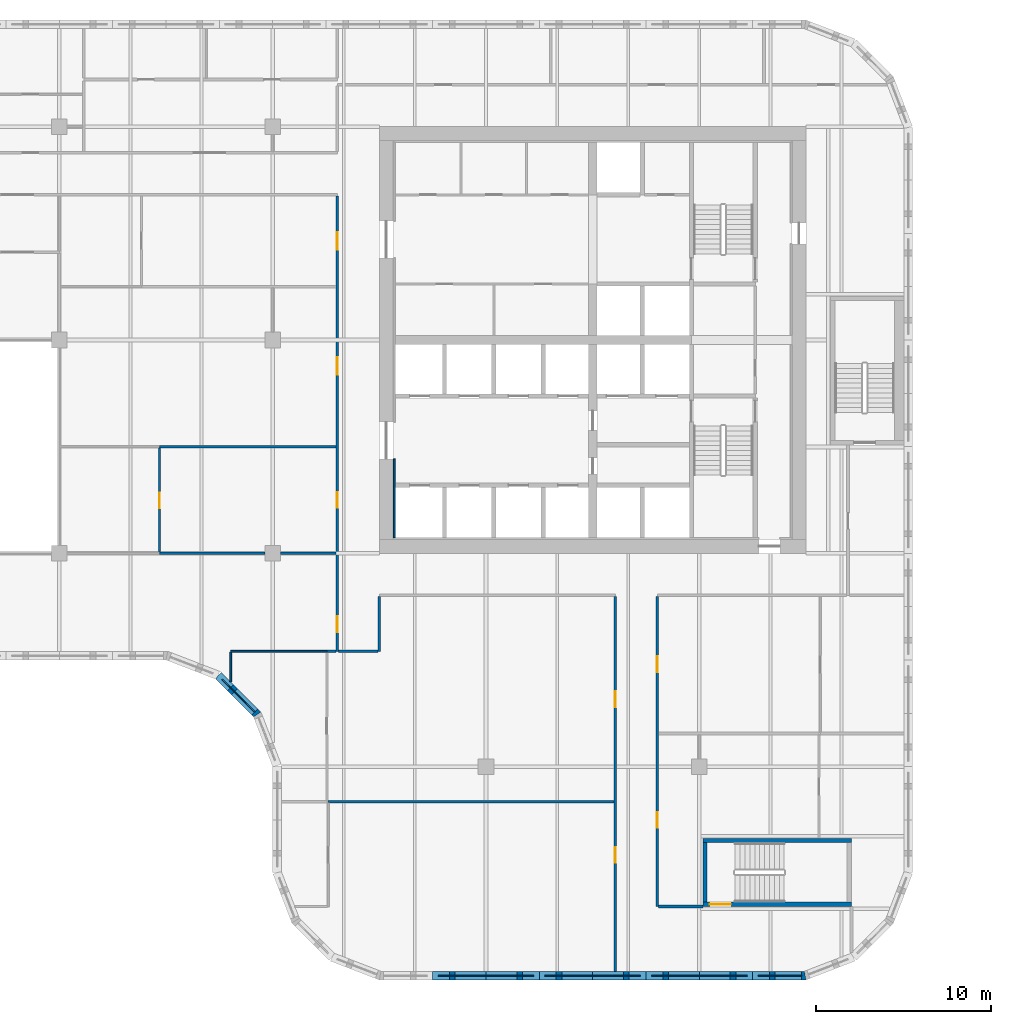
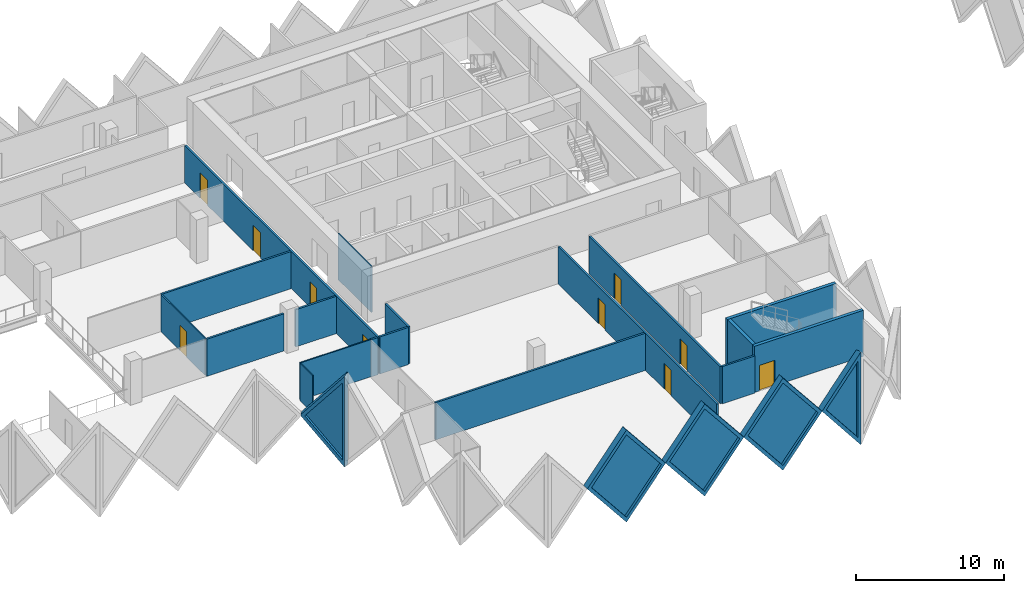
# One storey, part 5 of 19: 23 walls, 10 doors, 5 plates, 15 openings.
"""IFC4 building model written with IfcOpenShell, lengths in metres."""

from ifc_helpers import new_model, si_unit, direction, frame, frame_2d, origin, place, context, subcontext, project, spatial, polyline, rectangle, outline, extrude, faceted_brep, source, transform, mapped, material, layer, layer_set, type_object, element, fill, save


model = new_model("IFC4")

# Units and contexts
model_context = context("Model", 3, precision=1e-05, world=origin(), true_north=direction((0.0, 1.0)))
body_context = subcontext(model_context, "Body", "Model", "MODEL_VIEW")
ifc_project = project(units=[si_unit("LENGTHUNIT", "METRE"), si_unit("AREAUNIT", "SQUARE_METRE"), si_unit("VOLUMEUNIT", "CUBIC_METRE"), si_unit("PLANEANGLEUNIT", "RADIAN"), si_unit("MASSUNIT", "GRAM", prefix="KILO")], contexts=[model_context])

# Site, building, storey
site_placement = place(None, origin())
site = spatial("IfcSite", under=ifc_project, at=site_placement, CompositionType="ELEMENT")
building_placement = place(site_placement, origin())
building = spatial("IfcBuilding", under=site, at=building_placement, Name="Tessera Gate Towers", CompositionType="ELEMENT")
storey_placement = place(building_placement, frame((0.0, 0.0, 83.800048828125)))
storey = spatial("IfcBuildingStorey", under=building, at=storey_placement, Name="L20", CompositionType="ELEMENT", Elevation=83.800048828125)

# Wall, opening, door
ifc_material_1 = material(Name="Concrete C40/50", Category="concrete")
ifc_layer_1 = layer(ifc_material_1, 0.25)
ifc_layer_set_1 = layer_set([ifc_layer_1], Name="CORE ENCLOSURE WALL 250")
wall_type_1 = type_object("IfcWallType", Name="CORE ENCLOSURE WALL 250", PredefinedType="SOLIDWALL", material=ifc_layer_set_1)
wall_1_placement = place(storey_placement, frame((57.5, 4.324951171875, 0.0), z_axis=(0.0, 0.0, 1.0), x_axis=(-1.0, 0.0, 0.0)))
wall_1 = element("IfcWall", 1, at=wall_1_placement, inside=storey, type_object=wall_type_1, Name="L20 ST4 enclosure wall", PredefinedType="SOLIDWALL", context=body_context, shape_type="SweptSolid", body=[
    extrude(rectangle(XDim=8.5, YDim=0.25, at=frame_2d((4.25, 0.0))), origin(), (0.0, 0.0, 1.0), 3.800048828125),
])
shared_shape_1 = source(origin(), body_context, "Body", "SweptSolid", [
    extrude(rectangle(XDim=1.199951171875, YDim=2.10009765625, at=frame_2d((0.60009765625, 1.050048828125))), frame((0.0, 0.135009765625, 0.0), z_axis=(0.0, -1.0, 0.0), x_axis=(1.0, 0.0, 0.0)), (0.0, 0.0, 1.0), 0.27001953125),
])
opening_1_placement = place(wall_1_placement, frame((6.89990234375, 0.0, 0.0)))
opening_1 = element("IfcOpeningElement", 2, at=opening_1_placement, cuts=wall_1, Name="Opening SD-ST4-1", PredefinedType="OPENING", context=body_context, shape_type="MappedRepresentation", body=[
    mapped(shared_shape_1, transform((0.0, 0.0, 0.0), scale=1.0)),
])
ifc_material_2 = material(Name="Hollow steel fire door", Category="steel")
door_type_1 = type_object("IfcDoorType", Name="CORE DOOR SD 1200x2100", OperationType="NOTDEFINED", PredefinedType="DOOR", material=ifc_material_2)
shared_shape_2 = source(origin(), body_context, "Body", "SweptSolid", [
    extrude(rectangle(XDim=1.199951171875, YDim=2.10009765625, at=frame_2d((0.60009765625, 1.050048828125))), frame((0.0, 0.02490234375, 0.0), z_axis=(0.0, -1.0, 0.0), x_axis=(1.0, 0.0, 0.0)), (0.0, 0.0, 1.0), 0.050048828125),
])
door_1_placement = place(opening_1_placement, origin())
door_1 = element("IfcDoor", 3, at=door_1_placement, inside=storey, type_object=door_type_1, Name="Stair door", OperationType="SINGLE_SWING_RIGHT", OverallHeight=2.10009765625, OverallWidth=1.199951171875, PredefinedType="DOOR", context=body_context, shape_type="MappedRepresentation", body=[
    mapped(shared_shape_2, transform((0.0, 0.0, 0.0), scale=1.0)),
])
fill(opening_1, door_1)

# Walls
wall_2_placement = place(storey_placement, frame((49.125, 4.449951171875, 0.0), z_axis=(0.0, 0.0, 1.0), x_axis=(0.0, 1.0, 0.0)))
element("IfcWall", 4, at=wall_2_placement, inside=storey, type_object=wall_type_1, Name="L20 ST4 enclosure wall", PredefinedType="SOLIDWALL", context=body_context, shape_type="SweptSolid", body=[
    extrude(rectangle(XDim=3.400146484375, YDim=0.25, at=frame_2d((1.7001953125, 0.0))), origin(), (0.0, 0.0, 1.0), 3.800048828125),
])
wall_3_placement = place(storey_placement, frame((49.0, 7.97509765625, 0.0), z_axis=(0.0, 0.0, 1.0), x_axis=(1.0, 0.0, 0.0)))
element("IfcWall", 5, at=wall_3_placement, inside=storey, type_object=wall_type_1, Name="L20 ST4 enclosure wall", PredefinedType="SOLIDWALL", context=body_context, shape_type="SweptSolid", body=[
    extrude(rectangle(XDim=8.5, YDim=0.25, at=frame_2d((4.25, 0.0))), origin(), (0.0, 0.0, 1.0), 3.800048828125),
])
ifc_material_3 = material(Name="Concrete C60/75", Category="concrete")
ifc_layer_2 = layer(ifc_material_3, 0.10009765625)
ifc_layer_set_2 = layer_set([ifc_layer_2], Name="CORE WALL THICKENING 100")
wall_type_2 = type_object("IfcWallType", Name="CORE WALL THICKENING 100", PredefinedType="SOLIDWALL", material=ifc_layer_set_2)
wall_4_placement = place(storey_placement, frame((31.35009765625, 25.300048828125, 0.0), z_axis=(0.0, 0.0, 1.0), x_axis=(0.0, 1.0, 0.0)))
element("IfcWall", 6, at=wall_4_placement, inside=storey, type_object=wall_type_2, Name="Core wall thickening W L20", PredefinedType="SOLIDWALL", context=body_context, shape_type="SweptSolid", body=[
    extrude(rectangle(XDim=4.5, YDim=0.10009765625, at=frame_2d((2.25, 0.0))), origin(), (0.0, 0.0, 1.0), 3.800048828125),
])

# Wall, openings, doors
ifc_material_4 = material(Name="Gypsum board on steel studs, mineral wool", Category="steel")
ifc_layer_3 = layer(ifc_material_4, 0.14990234375)
ifc_layer_set_3 = layer_set([ifc_layer_3], Name="CORRIDOR WALL 150")
wall_type_3 = type_object("IfcWallType", Name="CORRIDOR WALL 150", PredefinedType="PARTITIONING", material=ifc_layer_set_3)
wall_5_placement = place(storey_placement, frame((44.0, 0.5, 0.0), z_axis=(0.0, 0.0, 1.0), x_axis=(0.0, 1.0, 0.0)))
wall_5 = element("IfcWall", 7, at=wall_5_placement, inside=storey, type_object=wall_type_3, Name="T1-L20-PW-001", PredefinedType="PARTITIONING", context=body_context, shape_type="SweptSolid", body=[
    extrude(rectangle(XDim=21.424072265625, YDim=0.14990234375, at=frame_2d((10.7119140625, 0.0))), origin(), (0.0, 0.0, 1.0), 3.06689453125),
])
shared_shape_3 = source(origin(), body_context, "Body", "SweptSolid", [
    extrude(rectangle(XDim=0.89990234375, YDim=2.10009765625, at=frame_2d((0.449951171875, 1.050048828125))), frame((0.0, 0.0849609375, 0.0), z_axis=(0.0, -1.0, 0.0), x_axis=(1.0, 0.0, 0.0)), (0.0, 0.0, 1.0), 0.169921875),
])
opening_2_placement = place(wall_5_placement, frame((6.199951171875, 0.0, 0.0)))
opening_2 = element("IfcOpeningElement", 8, at=opening_2_placement, cuts=wall_5, Name="Opening D890FD60-A07-02", PredefinedType="OPENING", context=body_context, shape_type="MappedRepresentation", body=[
    mapped(shared_shape_3, transform((0.0, 0.0, 0.0), scale=1.0)),
])
opening_3_placement = place(wall_5_placement, frame((15.10009765625, 0.0, 0.0)))
opening_3 = element("IfcOpeningElement", 9, at=opening_3_placement, cuts=wall_5, Name="Opening D890FD60-A07-09", PredefinedType="OPENING", context=body_context, shape_type="MappedRepresentation", body=[
    mapped(shared_shape_3, transform((0.0, 0.0, 0.0), scale=1.0)),
])
ifc_material_5 = material(Name="Timber door leaf in steel frame", Category="steel")
door_type_2 = type_object("IfcDoorType", Name="CORRIDOR DOOR 900 FD60", OperationType="NOTDEFINED", PredefinedType="DOOR", material=ifc_material_5)
shared_shape_4 = source(origin(), body_context, "Body", "SweptSolid", [
    extrude(rectangle(XDim=0.89990234375, YDim=2.10009765625, at=frame_2d((0.449951171875, 1.050048828125))), frame((0.0, 0.02490234375, 0.0), z_axis=(0.0, -1.0, 0.0), x_axis=(1.0, 0.0, 0.0)), (0.0, 0.0, 1.0), 0.050048828125),
])
door_2_placement = place(opening_2_placement, origin())
door_2 = element("IfcDoor", 10, at=door_2_placement, inside=storey, type_object=door_type_2, Name="T1-L20-PD-009", OperationType="SINGLE_SWING_LEFT", OverallHeight=2.10009765625, OverallWidth=0.89990234375, PredefinedType="DOOR", context=body_context, shape_type="MappedRepresentation", body=[
    mapped(shared_shape_4, transform((0.0, 0.0, 0.0), scale=1.0)),
])
fill(opening_2, door_2)
door_3_placement = place(opening_3_placement, origin())
door_3 = element("IfcDoor", 11, at=door_3_placement, inside=storey, type_object=door_type_2, Name="T1-L20-PD-023", OperationType="SINGLE_SWING_LEFT", OverallHeight=2.10009765625, OverallWidth=0.89990234375, PredefinedType="DOOR", context=body_context, shape_type="MappedRepresentation", body=[
    mapped(shared_shape_4, transform((0.0, 0.0, 0.0), scale=1.0)),
])
fill(opening_3, door_3)

wall_6_placement = place(storey_placement, frame((46.39990234375, 21.924072265625, 0.0), z_axis=(0.0, 0.0, 1.0), x_axis=(0.0, -1.0, 0.0)))
wall_6 = element("IfcWall", 12, at=wall_6_placement, inside=storey, type_object=wall_type_3, Name="T1-L20-PW-005", PredefinedType="PARTITIONING", context=body_context, shape_type="SweptSolid", body=[
    extrude(rectangle(XDim=17.72412109375, YDim=0.14990234375, at=frame_2d((8.862060546875, 0.0))), origin(), (0.0, 0.0, 1.0), 3.06689453125),
])
opening_4_placement = place(wall_6_placement, frame((3.423095703125, 0.0, 0.0)))
opening_4 = element("IfcOpeningElement", 13, at=opening_4_placement, cuts=wall_6, Name="Opening D890FD60-A07-06", PredefinedType="OPENING", context=body_context, shape_type="MappedRepresentation", body=[
    mapped(shared_shape_3, transform((0.0, 0.0, 0.0), scale=1.0)),
])
opening_5_placement = place(wall_6_placement, frame((12.323974609375, 0.0, 0.0)))
opening_5 = element("IfcOpeningElement", 14, at=opening_5_placement, cuts=wall_6, Name="Opening D890FD60-A07-08", PredefinedType="OPENING", context=body_context, shape_type="MappedRepresentation", body=[
    mapped(shared_shape_3, transform((0.0, 0.0, 0.0), scale=1.0)),
])
door_4_placement = place(opening_4_placement, origin())
door_4 = element("IfcDoor", 15, at=door_4_placement, inside=storey, type_object=door_type_2, Name="T1-L20-PD-018", OperationType="SINGLE_SWING_RIGHT", OverallHeight=2.10009765625, OverallWidth=0.89990234375, PredefinedType="DOOR", context=body_context, shape_type="MappedRepresentation", body=[
    mapped(shared_shape_4, transform((0.0, 0.0, 0.0), scale=1.0)),
])
fill(opening_4, door_4)
door_5_placement = place(opening_5_placement, origin())
door_5 = element("IfcDoor", 16, at=door_5_placement, inside=storey, type_object=door_type_2, Name="T1-L20-PD-022", OperationType="SINGLE_SWING_RIGHT", OverallHeight=2.10009765625, OverallWidth=0.89990234375, PredefinedType="DOOR", context=body_context, shape_type="MappedRepresentation", body=[
    mapped(shared_shape_4, transform((0.0, 0.0, 0.0), scale=1.0)),
])
fill(opening_5, door_5)

# Wall
wall_7_placement = place(storey_placement, frame((46.47607421875, 4.199951171875, 0.0), z_axis=(0.0, 0.0, 1.0), x_axis=(1.0, 0.0, 0.0)))
element("IfcWall", 17, at=wall_7_placement, inside=storey, type_object=wall_type_3, Name="T1-L20-PW-006", PredefinedType="PARTITIONING", context=body_context, shape_type="SweptSolid", body=[
    extrude(rectangle(XDim=2.52392578125, YDim=0.14990234375, at=frame_2d((1.261962890625, 0.0))), origin(), (0.0, 0.0, 1.0), 3.06689453125),
])

# Wall, openings, doors
wall_8_placement = place(storey_placement, frame((28.10009765625, 18.800048828125, 0.0), z_axis=(0.0, 0.0, 1.0), x_axis=(0.0, 1.0, 0.0)))
wall_8 = element("IfcWall", 18, at=wall_8_placement, inside=storey, type_object=wall_type_3, Name="T1-L20-PW-018", PredefinedType="PARTITIONING", context=body_context, shape_type="SweptSolid", body=[
    extrude(rectangle(XDim=26.02392578125, YDim=0.14990234375, at=frame_2d((13.011962890625, 0.0))), origin(), (0.0, 0.0, 1.0), 3.06689453125),
])
opening_6_placement = place(wall_8_placement, frame((1.10009765625, 0.0, 0.0)))
opening_6 = element("IfcOpeningElement", 19, at=opening_6_placement, cuts=wall_8, Name="Opening D890FD60-A07-01", PredefinedType="OPENING", context=body_context, shape_type="MappedRepresentation", body=[
    mapped(shared_shape_3, transform((0.0, 0.0, 0.0), scale=1.0)),
])
shared_shape_5 = source(origin(), body_context, "Body", "SweptSolid", [
    extrude(rectangle(XDim=1.0, YDim=2.10009765625, at=frame_2d((0.5, 1.050048828125))), frame((0.0, 0.0849609375, 0.0), z_axis=(0.0, -1.0, 0.0), x_axis=(1.0, 0.0, 0.0)), (0.0, 0.0, 1.0), 0.169921875),
])
opening_7_placement = place(wall_8_placement, frame((22.950927734375, 0.0, 0.0)))
opening_7 = element("IfcOpeningElement", 20, at=opening_7_placement, cuts=wall_8, Name="Opening D2100FD60-A07-01", PredefinedType="OPENING", context=body_context, shape_type="MappedRepresentation", body=[
    mapped(shared_shape_5, transform((0.0, 0.0, 0.0), scale=1.0)),
])
opening_8_placement = place(wall_8_placement, frame((8.199951171875, 0.0, 0.0)))
opening_8 = element("IfcOpeningElement", 21, at=opening_8_placement, cuts=wall_8, Name="Opening D890FD60-A07-04", PredefinedType="OPENING", context=body_context, shape_type="MappedRepresentation", body=[
    mapped(shared_shape_3, transform((0.0, 0.0, 0.0), scale=1.0)),
])
opening_9_placement = place(wall_8_placement, frame((15.800048828125, 0.0, 0.0)))
opening_9 = element("IfcOpeningElement", 22, at=opening_9_placement, cuts=wall_8, Name="Opening D2100FD60-A07-02", PredefinedType="OPENING", context=body_context, shape_type="MappedRepresentation", body=[
    mapped(shared_shape_5, transform((0.0, 0.0, 0.0), scale=1.0)),
])
door_6_placement = place(opening_6_placement, origin())
door_6 = element("IfcDoor", 23, at=door_6_placement, inside=storey, type_object=door_type_2, Name="T1-L20-PD-001", OperationType="SINGLE_SWING_LEFT", OverallHeight=2.10009765625, OverallWidth=0.89990234375, PredefinedType="DOOR", context=body_context, shape_type="MappedRepresentation", body=[
    mapped(shared_shape_4, transform((0.0, 0.0, 0.0), scale=1.0)),
])
fill(opening_6, door_6)
door_7_placement = place(opening_8_placement, origin())
door_7 = element("IfcDoor", 24, at=door_7_placement, inside=storey, type_object=door_type_2, Name="T1-L20-PD-012", OperationType="SINGLE_SWING_LEFT", OverallHeight=2.10009765625, OverallWidth=0.89990234375, PredefinedType="DOOR", context=body_context, shape_type="MappedRepresentation", body=[
    mapped(shared_shape_4, transform((0.0, 0.0, 0.0), scale=1.0)),
])
fill(opening_8, door_7)
ifc_material_6 = material(Name="Timber door leaf in steel frame", Category="steel")
door_type_3 = type_object("IfcDoorType", Name="TENANCY ENTRANCE DOOR 1000 FD60", OperationType="NOTDEFINED", PredefinedType="DOOR", material=ifc_material_6)
shared_shape_6 = source(origin(), body_context, "Body", "SweptSolid", [
    extrude(rectangle(XDim=1.0, YDim=2.10009765625, at=frame_2d((0.5, 1.050048828125))), frame((0.0, 0.02490234375, 0.0), z_axis=(0.0, -1.0, 0.0), x_axis=(1.0, 0.0, 0.0)), (0.0, 0.0, 1.0), 0.050048828125),
])
door_8_placement = place(opening_7_placement, origin())
door_8 = element("IfcDoor", 25, at=door_8_placement, inside=storey, type_object=door_type_3, Name="T1-L20-PD-005", OperationType="SINGLE_SWING_LEFT", OverallHeight=2.10009765625, OverallWidth=1.0, PredefinedType="DOOR", context=body_context, shape_type="MappedRepresentation", body=[
    mapped(shared_shape_6, transform((0.0, 0.0, 0.0), scale=1.0)),
])
fill(opening_7, door_8)
door_9_placement = place(opening_9_placement, origin())
door_9 = element("IfcDoor", 26, at=door_9_placement, inside=storey, type_object=door_type_3, Name="T1-L20-PD-021", OperationType="SINGLE_SWING_LEFT", OverallHeight=2.10009765625, OverallWidth=1.0, PredefinedType="DOOR", context=body_context, shape_type="MappedRepresentation", body=[
    mapped(shared_shape_6, transform((0.0, 0.0, 0.0), scale=1.0)),
])
fill(opening_9, door_9)

# Walls
wall_9_placement = place(storey_placement, frame((28.176025390625, 18.800048828125, 0.0), z_axis=(0.0, 0.0, 1.0), x_axis=(1.0, 0.0, 0.0)))
element("IfcWall", 27, at=wall_9_placement, inside=storey, type_object=wall_type_3, Name="T1-L20-PW-019", PredefinedType="PARTITIONING", context=body_context, shape_type="SweptSolid", body=[
    extrude(rectangle(XDim=2.248046875, YDim=0.14990234375, at=frame_2d((1.1240234375, 0.0))), origin(), (0.0, 0.0, 1.0), 3.06689453125),
])
wall_10_placement = place(storey_placement, frame((30.5, 18.800048828125, 0.0), z_axis=(0.0, 0.0, 1.0), x_axis=(0.0, 1.0, 0.0)))
element("IfcWall", 28, at=wall_10_placement, inside=storey, type_object=wall_type_3, Name="T1-L20-PW-020", PredefinedType="PARTITIONING", context=body_context, shape_type="SweptSolid", body=[
    extrude(rectangle(XDim=3.1240234375, YDim=0.14990234375, at=frame_2d((1.56201171875, 0.0))), origin(), (0.0, 0.0, 1.0), 3.06689453125),
])
ifc_material_7 = material(Name="Glass", Category="glass")
ifc_layer_4 = layer(ifc_material_7, 0.10009765625)
ifc_layer_set_4 = layer_set([ifc_layer_4], Name="GLAZED PARTITION 100")
wall_type_4 = type_object("IfcWallType", Name="GLAZED PARTITION 100", PredefinedType="PARTITIONING", material=ifc_layer_set_4)
wall_11_placement = place(storey_placement, frame((22.0, 17.054931640625, 0.0), z_axis=(0.0, 0.0, 1.0), x_axis=(0.0, 1.0, 0.0)))
element("IfcWall", 29, at=wall_11_placement, inside=storey, type_object=wall_type_4, Name="T1-L20-PW-015", PredefinedType="PARTITIONING", context=body_context, shape_type="SweptSolid", body=[
    extrude(rectangle(XDim=1.694091796875, YDim=0.10009765625, at=frame_2d((0.84716796875, 0.0))), origin(), (0.0, 0.0, 1.0), 3.06689453125),
])
wall_12_placement = place(storey_placement, frame((22.0, 18.800048828125, 0.0), z_axis=(0.0, 0.0, 1.0), x_axis=(1.0, 0.0, 0.0)))
element("IfcWall", 30, at=wall_12_placement, inside=storey, type_object=wall_type_4, Name="T1-L20-PW-016", PredefinedType="PARTITIONING", context=body_context, shape_type="SweptSolid", body=[
    extrude(rectangle(XDim=5.4990234375, YDim=0.10009765625, at=frame_2d((2.74951171875, 0.0))), origin(), (0.0, 0.0, 1.0), 3.06689453125),
])

# Wall, opening, door
wall_13_placement = place(storey_placement, frame((17.925048828125, 24.47607421875, 0.0), z_axis=(0.0, 0.0, 1.0), x_axis=(0.0, 1.0, 0.0)))
wall_13 = element("IfcWall", 31, at=wall_13_placement, inside=storey, type_object=wall_type_4, Name="T1-L20-PW-029", PredefinedType="PARTITIONING", context=body_context, shape_type="SweptSolid", body=[
    extrude(rectangle(XDim=5.947998046875, YDim=0.10009765625, at=frame_2d((2.97412109375, 0.0))), origin(), (0.0, 0.0, 1.0), 3.06689453125),
])
shared_shape_7 = source(origin(), body_context, "Body", "SweptSolid", [
    extrude(rectangle(XDim=0.89990234375, YDim=2.10009765625, at=frame_2d((0.449951171875, 1.050048828125))), frame((0.0, 0.06005859375, 0.0), z_axis=(0.0, -1.0, 0.0), x_axis=(1.0, 0.0, 0.0)), (0.0, 0.0, 1.0), 0.1201171875),
])
opening_10_placement = place(wall_13_placement, frame((2.5, 0.0, 0.0)))
opening_10 = element("IfcOpeningElement", 32, at=opening_10_placement, cuts=wall_13, Name="Opening D690-A07-04", PredefinedType="OPENING", context=body_context, shape_type="MappedRepresentation", body=[
    mapped(shared_shape_7, transform((0.0, 0.0, 0.0), scale=1.0)),
])
ifc_material_8 = material(Name="Glass in aluminium frame", Category="aluminium")
door_type_4 = type_object("IfcDoorType", Name="GLAZED DOOR 900 NOT RATED", OperationType="NOTDEFINED", PredefinedType="DOOR", material=ifc_material_8)
door_10_placement = place(opening_10_placement, origin())
door_10 = element("IfcDoor", 33, at=door_10_placement, inside=storey, type_object=door_type_4, Name="T1-L20-PD-008", OperationType="SINGLE_SWING_LEFT", OverallHeight=2.10009765625, OverallWidth=0.89990234375, PredefinedType="DOOR", context=body_context, shape_type="MappedRepresentation", body=[
    mapped(shared_shape_4, transform((0.0, 0.0, 0.0), scale=1.0)),
])
fill(opening_10, door_10)

# Walls
ifc_material_9 = material(Name="Gypsum board on steel studs, mineral wool", Category="steel")
ifc_layer_5 = layer(ifc_material_9, 0.14990234375)
ifc_layer_set_5 = layer_set([ifc_layer_5], Name="TENANCY WALL 150")
wall_type_5 = type_object("IfcWallType", Name="TENANCY WALL 150", PredefinedType="PARTITIONING", material=ifc_layer_set_5)
wall_14_placement = place(storey_placement, frame((27.574951171875, 10.199951171875, 0.0), z_axis=(0.0, 0.0, 1.0), x_axis=(1.0, 0.0, 0.0)))
element("IfcWall", 34, at=wall_14_placement, inside=storey, type_object=wall_type_5, Name="T1-L20-PW-009", PredefinedType="PARTITIONING", context=body_context, shape_type="SweptSolid", body=[
    extrude(rectangle(XDim=16.34912109375, YDim=0.14990234375, at=frame_2d((8.174560546875, 0.0))), origin(), (0.0, 0.0, 1.0), 3.06689453125),
])
wall_15_placement = place(storey_placement, frame((27.5, 18.800048828125, 0.0), z_axis=(0.0, 0.0, 1.0), x_axis=(1.0, 0.0, 0.0)))
element("IfcWall", 35, at=wall_15_placement, inside=storey, type_object=wall_type_5, Name="T1-L20-PW-017", PredefinedType="PARTITIONING", context=body_context, shape_type="SweptSolid", body=[
    extrude(rectangle(XDim=0.52392578125, YDim=0.14990234375, at=frame_2d((0.261962890625, 0.0))), origin(), (0.0, 0.0, 1.0), 3.06689453125),
])
wall_16_placement = place(storey_placement, frame((17.925048828125, 24.39990234375, 0.0), z_axis=(0.0, 0.0, 1.0), x_axis=(1.0, 0.0, 0.0)))
element("IfcWall", 36, at=wall_16_placement, inside=storey, type_object=wall_type_5, Name="T1-L20-PW-027", PredefinedType="PARTITIONING", context=body_context, shape_type="SweptSolid", body=[
    extrude(rectangle(XDim=6.02392578125, YDim=0.14990234375, at=frame_2d((3.011962890625, 0.0))), origin(), (0.0, 0.0, 1.0), 3.06689453125),
])
wall_17_placement = place(storey_placement, frame((24.85107421875, 24.39990234375, 0.0), z_axis=(0.0, 0.0, 1.0), x_axis=(1.0, 0.0, 0.0)))
element("IfcWall", 37, at=wall_17_placement, inside=storey, type_object=wall_type_5, Name="T1-L20-PW-028", PredefinedType="PARTITIONING", context=body_context, shape_type="SweptSolid", body=[
    extrude(rectangle(XDim=3.1728515625, YDim=0.14990234375, at=frame_2d((1.58642578125, 0.0))), origin(), (0.0, 0.0, 1.0), 3.06689453125),
])
wall_18_placement = place(storey_placement, frame((17.925048828125, 30.5, 0.0), z_axis=(0.0, 0.0, 1.0), x_axis=(1.0, 0.0, 0.0)))
element("IfcWall", 38, at=wall_18_placement, inside=storey, type_object=wall_type_5, Name="T1-L20-PW-031", PredefinedType="PARTITIONING", context=body_context, shape_type="SweptSolid", body=[
    extrude(rectangle(XDim=10.098876953125, YDim=0.14990234375, at=frame_2d((5.04931640625, 0.0))), origin(), (0.0, 0.0, 1.0), 3.06689453125),
])

# Wall, opening, plate
ifc_material_10 = material(Name="Precast concrete C60/75 white", Category="concrete")
ifc_layer_6 = layer(ifc_material_10, 0.5)
ifc_layer_set_6 = layer_set([ifc_layer_6], Name="TS1 tessera")
wall_type_6 = type_object("IfcWallType", Name="TS1 tessera", PredefinedType="SOLIDWALL", material=ifc_layer_set_6)
shared_shape_8 = source(origin(), body_context, "Body", "Brep", [
    faceted_brep([(3.050048828125, -0.25, 0.0), (6.099853515625, -0.25, 3.7998046875), (6.099853515625, -0.25, 3.80029296875), (3.050048828125, -0.25, 7.60009765625), (0.0, -0.25, 3.800048828125), (0.0, 0.25, 3.800048828125), (3.050048828125, 0.25, 7.60009765625), (6.099853515625, 0.25, 3.80029296875), (6.099853515625, 0.25, 3.7998046875), (3.050048828125, 0.25, 0.0)], [[[0, 1, 2, 3, 4]], [[5, 6, 7, 8, 9]], [[9, 8, 1, 0]], [[7, 6, 3, 2]], [[6, 5, 4, 3]], [[5, 9, 0, 4]], [[1, 8, 7, 2]]]),
])
wall_19_placement = place(storey_placement, frame((33.550048828125, 0.25, -3.800048828125), z_axis=(0.0, 0.0, 1.0), x_axis=(1.0, 0.0, 0.0)))
wall_19 = element("IfcWall", 39, at=wall_19_placement, inside=storey, type_object=wall_type_6, Name="Precast tessera T1 TS1-0299", PredefinedType="SOLIDWALL", context=body_context, shape_type="MappedRepresentation", body=[
    mapped(shared_shape_8, transform((0.0, 0.0, 0.0), scale=1.0)),
])
shared_shape_9 = source(origin(), body_context, "Body", "SweptSolid", [
    extrude(outline(polyline([(3.050048828125, 0.3994140625), (5.779541015625, 3.800048828125), (3.050048828125, 7.20068359375), (0.320556640625, 3.800048828125), (3.050048828125, 0.3994140625)])), frame((0.0, 0.260009765625, 0.0), z_axis=(0.0, -1.0, 0.0), x_axis=(1.0, 0.0, 0.0)), (0.0, 0.0, 1.0), 0.52001953125),
])
opening_11_placement = place(wall_19_placement, origin())
opening_11 = element("IfcOpeningElement", 40, at=opening_11_placement, cuts=wall_19, Name="Opening T1-PL2-0613", PredefinedType="OPENING", context=body_context, shape_type="MappedRepresentation", body=[
    mapped(shared_shape_9, transform((0.0, 0.0, 0.0), scale=1.0)),
])
ifc_material_11 = material(Name="Low-e laminated glass", Category="glass")
ifc_layer_7 = layer(ifc_material_11, 0.06005859375)
ifc_layer_set_7 = layer_set([ifc_layer_7], Name="PL2 rhombic pane")
plate_type = type_object("IfcPlateType", Name="PL2 rhombic pane", PredefinedType="SHEET", material=ifc_layer_set_7)
shared_shape_10 = source(origin(), body_context, "Body", "SweptSolid", [
    extrude(outline(polyline([(3.050048828125, 0.3994140625), (5.779541015625, 3.800048828125), (3.050048828125, 7.20068359375), (0.320556640625, 3.800048828125), (3.050048828125, 0.3994140625)])), frame((0.0, 0.030029296875, 0.0), z_axis=(0.0, -1.0, 0.0), x_axis=(1.0, 0.0, 0.0)), (0.0, 0.0, 1.0), 0.06005859375),
])
plate_1_placement = place(opening_11_placement, origin())
plate_1 = element("IfcPlate", 41, at=plate_1_placement, inside=storey, type_object=plate_type, Name="Glass pane T1 PL2-0613", PredefinedType="SHEET", context=body_context, shape_type="MappedRepresentation", body=[
    mapped(shared_shape_10, transform((0.0, 0.0, 0.0), scale=1.0)),
])
fill(opening_11, plate_1)

shared_shape_11 = source(origin(), body_context, "Body", "SweptSolid", [
    extrude(outline(polyline([(3.050048828125, 0.0), (6.10009765625, 3.800048828125), (3.050048828125, 7.60009765625), (0.0, 3.800048828125), (3.050048828125, 0.0)])), frame((0.0, 0.25, 0.0), z_axis=(0.0, -1.0, 0.0), x_axis=(1.0, 0.0, 0.0)), (0.0, 0.0, 1.0), 0.5),
])
wall_20_placement = place(storey_placement, frame((39.64990234375, 0.25, -3.800048828125), z_axis=(0.0, 0.0, 1.0), x_axis=(1.0, 0.0, 0.0)))
wall_20 = element("IfcWall", 42, at=wall_20_placement, inside=storey, type_object=wall_type_6, Name="Precast tessera T1 TS1-0300", PredefinedType="SOLIDWALL", context=body_context, shape_type="MappedRepresentation", body=[
    mapped(shared_shape_11, transform((0.0, 0.0, 0.0), scale=1.0)),
])
opening_12_placement = place(wall_20_placement, origin())
opening_12 = element("IfcOpeningElement", 43, at=opening_12_placement, cuts=wall_20, Name="Opening T1-PL2-0614", PredefinedType="OPENING", context=body_context, shape_type="MappedRepresentation", body=[
    mapped(shared_shape_9, transform((0.0, 0.0, 0.0), scale=1.0)),
])
plate_2_placement = place(opening_12_placement, origin())
plate_2 = element("IfcPlate", 44, at=plate_2_placement, inside=storey, type_object=plate_type, Name="Glass pane T1 PL2-0614", PredefinedType="SHEET", context=body_context, shape_type="MappedRepresentation", body=[
    mapped(shared_shape_10, transform((0.0, 0.0, 0.0), scale=1.0)),
])
fill(opening_12, plate_2)

wall_21_placement = place(storey_placement, frame((45.75, 0.25, -3.800048828125), z_axis=(0.0, 0.0, 1.0), x_axis=(1.0, 0.0, 0.0)))
wall_21 = element("IfcWall", 45, at=wall_21_placement, inside=storey, type_object=wall_type_6, Name="Precast tessera T1 TS1-0301", PredefinedType="SOLIDWALL", context=body_context, shape_type="MappedRepresentation", body=[
    mapped(shared_shape_11, transform((0.0, 0.0, 0.0), scale=1.0)),
])
opening_13_placement = place(wall_21_placement, origin())
opening_13 = element("IfcOpeningElement", 46, at=opening_13_placement, cuts=wall_21, Name="Opening T1-PL2-0615", PredefinedType="OPENING", context=body_context, shape_type="MappedRepresentation", body=[
    mapped(shared_shape_9, transform((0.0, 0.0, 0.0), scale=1.0)),
])
plate_3_placement = place(opening_13_placement, origin())
plate_3 = element("IfcPlate", 47, at=plate_3_placement, inside=storey, type_object=plate_type, Name="Glass pane T1 PL2-0615", PredefinedType="SHEET", context=body_context, shape_type="MappedRepresentation", body=[
    mapped(shared_shape_10, transform((0.0, 0.0, 0.0), scale=1.0)),
])
fill(opening_13, plate_3)

ifc_material_12 = material(Name="Precast concrete C60/75 white", Category="concrete")
ifc_layer_8 = layer(ifc_material_12, 0.5)
ifc_layer_set_8 = layer_set([ifc_layer_8], Name="TS3 corner tessera")
wall_type_7 = type_object("IfcWallType", Name="TS3 corner tessera", PredefinedType="SOLIDWALL", material=ifc_layer_set_8)
shared_shape_12 = source(origin(), body_context, "Body", "Brep", [
    faceted_brep([(3.00341796875, -0.25, 0.0), (3.050048828125, -0.25, 0.06005859375), (3.050048828125, -0.25, 7.5400390625), (3.00341796875, -0.25, 7.60009765625), (0.0, -0.25, 3.800048828125), (0.0, 0.25, 3.800048828125), (2.956787109375, 0.25, 7.541259765625), (2.956787109375, 0.25, 0.058837890625), (3.00341796875, 0.000244140625, 0.0), (3.00341796875, 0.000244140625, 7.60009765625)], [[[0, 1, 2, 3, 4]], [[5, 6, 7]], [[1, 0, 8]], [[9, 3, 2]], [[6, 5, 4, 3, 9]], [[5, 7, 8, 0, 4]], [[1, 8, 7, 6, 9, 2]]]),
])
wall_22_placement = place(storey_placement, frame((51.85009765625, 0.25, -3.800048828125), z_axis=(0.0, 0.0, 1.0), x_axis=(1.0, 0.0, 0.0)))
wall_22 = element("IfcWall", 48, at=wall_22_placement, inside=storey, type_object=wall_type_7, Name="Precast corner tessera T1 TS3-0435", PredefinedType="SOLIDWALL", context=body_context, shape_type="MappedRepresentation", body=[
    mapped(shared_shape_12, transform((0.0, 0.0, 0.0), scale=1.0)),
])
shared_shape_13 = source(origin(), body_context, "Body", "SweptSolid", [
    extrude(outline(polyline([(2.803466796875, 6.94384765625), (0.318603515625, 3.800048828125), (2.803466796875, 0.65625), (2.803466796875, 6.94384765625)])), frame((0.0, 0.260009765625, 0.0), z_axis=(0.0, -1.0, 0.0), x_axis=(1.0, 0.0, 0.0)), (0.0, 0.0, 1.0), 0.52001953125),
])
opening_14_placement = place(wall_22_placement, origin())
opening_14 = element("IfcOpeningElement", 49, at=opening_14_placement, cuts=wall_22, Name="Opening T1-PL2-0616", PredefinedType="OPENING", context=body_context, shape_type="MappedRepresentation", body=[
    mapped(shared_shape_13, transform((0.0, 0.0, 0.0), scale=1.0)),
])
shared_shape_14 = source(origin(), body_context, "Body", "SweptSolid", [
    extrude(outline(polyline([(2.803466796875, 6.94384765625), (0.318603515625, 3.800048828125), (2.803466796875, 0.65625), (2.803466796875, 6.94384765625)])), frame((0.0, 0.030029296875, 0.0), z_axis=(0.0, -1.0, 0.0), x_axis=(1.0, 0.0, 0.0)), (0.0, 0.0, 1.0), 0.06005859375),
])
plate_4_placement = place(opening_14_placement, origin())
plate_4 = element("IfcPlate", 50, at=plate_4_placement, inside=storey, type_object=plate_type, Name="Glass pane T1 PL2-0616", PredefinedType="SHEET", context=body_context, shape_type="MappedRepresentation", body=[
    mapped(shared_shape_14, transform((0.0, 0.0, 0.0), scale=1.0)),
])
fill(opening_14, plate_4)

shared_shape_15 = source(origin(), body_context, "Body", "Brep", [
    faceted_brep([(3.10302734375, -0.25, 7.536376953125), (0.052978515625, -0.25, 3.86376953125), (0.052978515625, -0.25, 3.736328125), (3.10302734375, -0.25, 0.063720703125), (0.0, 0.25, 3.800048828125), (3.15576171875, 0.25, 7.60009765625), (3.208740234375, 0.25, 7.5361328125), (3.208740234375, 0.25, 0.06396484375), (3.15576171875, 0.25, 0.0), (3.15576171875, -0.00048828125, 0.0), (3.15576171875, -0.00048828125, 7.60009765625), (0.0, 0.0, 3.800048828125)], [[[0, 1, 2, 3]], [[4, 5, 6, 7, 8]], [[8, 7, 9]], [[6, 5, 10]], [[5, 4, 11, 1, 0, 10]], [[4, 8, 9, 3, 2, 11]], [[11, 2, 1]], [[3, 9, 7, 6, 10, 0]]]),
])
wall_23_placement = place(storey_placement, frame((21.284912109375, 17.41650390625, -3.800048828125), z_axis=(0.0, 0.0, 1.0), x_axis=(0.707106781187, -0.707106781187, 0.0)))
wall_23 = element("IfcWall", 51, at=wall_23_placement, inside=storey, type_object=wall_type_7, Name="Precast corner tessera T1 TS3-0453", PredefinedType="SOLIDWALL", context=body_context, shape_type="MappedRepresentation", body=[
    mapped(shared_shape_15, transform((0.0, 0.0, 0.0), scale=1.0)),
])
shared_shape_16 = source(origin(), body_context, "Body", "SweptSolid", [
    extrude(outline(polyline([(2.955810546875, 6.9677734375), (0.324951171875, 3.800048828125), (2.955810546875, 0.632080078125), (2.955810546875, 6.9677734375)])), frame((0.0, 0.260009765625, 0.0), z_axis=(0.0, -1.0, 0.0), x_axis=(1.0, 0.0, 0.0)), (0.0, 0.0, 1.0), 0.52001953125),
])
opening_15_placement = place(wall_23_placement, origin())
opening_15 = element("IfcOpeningElement", 52, at=opening_15_placement, cuts=wall_23, Name="Opening T1-PL2-0653", PredefinedType="OPENING", context=body_context, shape_type="MappedRepresentation", body=[
    mapped(shared_shape_16, transform((0.0, 0.0, 0.0), scale=1.0)),
])
shared_shape_17 = source(origin(), body_context, "Body", "SweptSolid", [
    extrude(outline(polyline([(2.955810546875, 6.9677734375), (0.324951171875, 3.800048828125), (2.955810546875, 0.632080078125), (2.955810546875, 6.9677734375)])), frame((0.0, 0.030029296875, 0.0), z_axis=(0.0, -1.0, 0.0), x_axis=(1.0, 0.0, 0.0)), (0.0, 0.0, 1.0), 0.06005859375),
])
plate_5_placement = place(opening_15_placement, origin())
plate_5 = element("IfcPlate", 53, at=plate_5_placement, inside=storey, type_object=plate_type, Name="Glass pane T1 PL2-0653", PredefinedType="SHEET", context=body_context, shape_type="MappedRepresentation", body=[
    mapped(shared_shape_17, transform((0.0, 0.0, 0.0), scale=1.0)),
])
fill(opening_15, plate_5)

save(model, "model.ifc")
